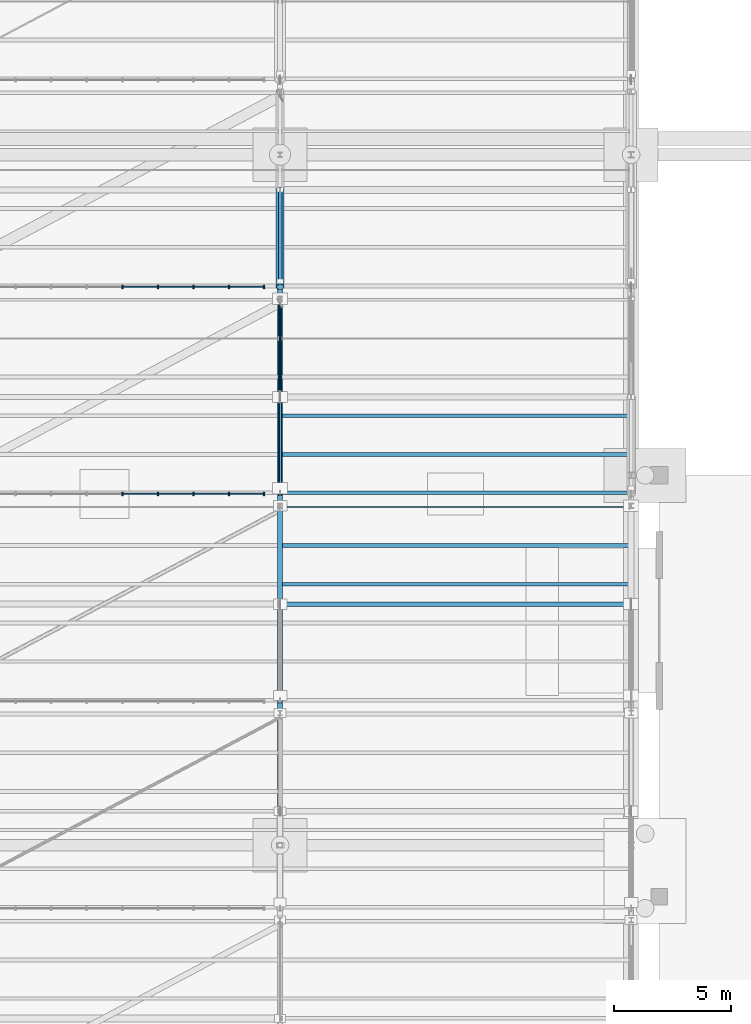
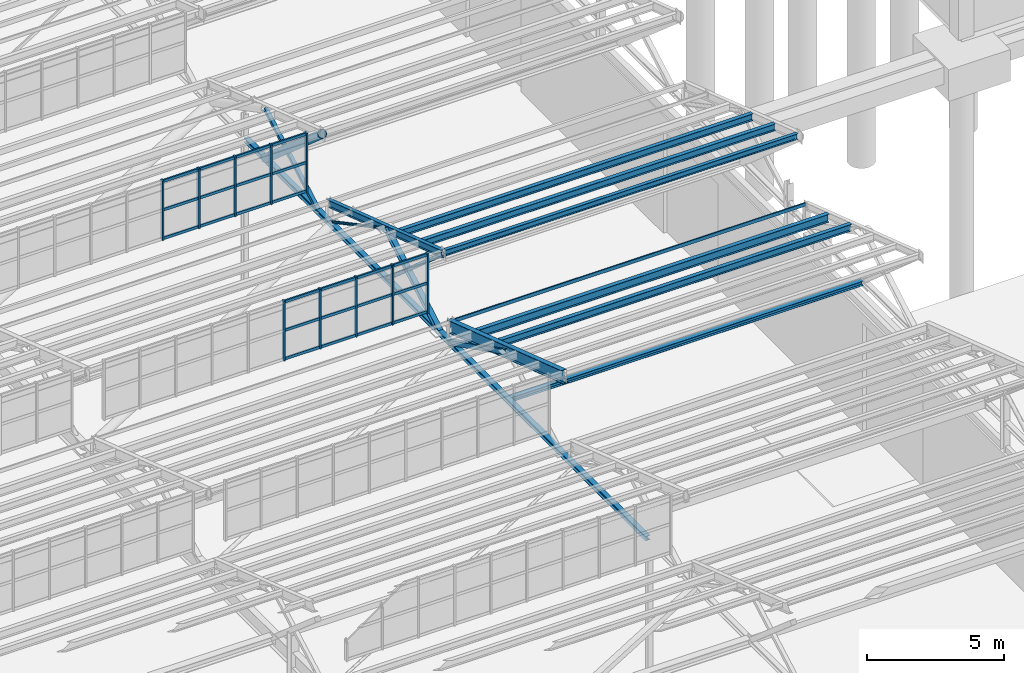
# One storey, part 123 of 285: 41 members, 9 beams, 2 elements without a shape of their own.
"""IFC4 building model written with IfcOpenShell, lengths in metres."""

from ifc_helpers import new_model, si_unit, direction, frame, origin, origin_2d, place, context, subcontext, project, spatial, rectangle, hollow_rectangle, hollow_circle, i_section, extrude, material, material_profile, profile_set, type_object, element, aggregate, save


model = new_model("IFC4")

# Units and contexts
model_context = context("Model", 3, precision=1e-05, world=origin(), true_north=direction((0.0, 1.0)))
body_context = subcontext(model_context, "Body", "Model", "MODEL_VIEW")
ifc_project = project(units=[si_unit("LENGTHUNIT", "METRE"), si_unit("AREAUNIT", "SQUARE_METRE"), si_unit("VOLUMEUNIT", "CUBIC_METRE"), si_unit("PLANEANGLEUNIT", "RADIAN"), si_unit("MASSUNIT", "GRAM", prefix="KILO")], contexts=[model_context])

# Site, building, storey
site_placement = place(None, origin())
site = spatial("IfcSite", under=ifc_project, at=site_placement, CompositionType="ELEMENT")
building_placement = place(site_placement, origin())
building = spatial("IfcBuilding", under=site, at=building_placement, Name="Solanera Park Tramway Depot", CompositionType="ELEMENT")
storey_placement = place(building_placement, origin())
storey = spatial("IfcBuildingStorey", under=building, at=storey_placement, Name="L00", CompositionType="ELEMENT", Elevation=0.0)

# Curtain wall, members
ifc_material_1 = material(Name="Bronze-anodised thermally broken aluminium curtain wall", Category="aluminium")
curtain_wall_type = type_object("IfcCurtainWallType", Name="Sawtooth Clerestory Monitor Curtain Wall", PredefinedType="NOTDEFINED", material=ifc_material_1)
curtain_wall_1_placement = place(storey_placement, origin())
curtain_wall_1 = element("IfcCurtainWall", 1, at=curtain_wall_1_placement, inside=storey, type_object=curtain_wall_type, Name="L00 Sawtooth Clerestory Monitor Curtain Wall #043", PredefinedType="NOTDEFINED")
ifc_material_2 = material(Name="Bronze-anodised structural aluminium 6063-T6", Category="aluminium")
ifc_material_profile_1 = material_profile(ifc_material_2, rectangle(XDim=0.06494140625, YDim=0.14990234375, at=origin_2d()), Name="Curtain Wall Mullion 65x150")
ifc_profile_set_1 = profile_set([ifc_material_profile_1], Name="Bronze-anodised structural aluminium 6063-T6")
member_type_1 = type_object("IfcMemberType", Name="Curtain Wall Mullion 65x150", PredefinedType="MULLION", material=ifc_profile_set_1)
member_1_placement = place(storey_placement, frame((128.260986328125, 100.0, 7.75), z_axis=(0.0, 0.0, 1.0), x_axis=(1.0, 0.0, 0.0)))
member_1 = element("IfcMember", 2, at=member_1_placement, type_object=member_type_1, Name="CW-L00-043 Mullion 6", PredefinedType="MULLION", context=body_context, shape_type="SweptSolid", body=[
    extrude(rectangle(XDim=0.06494140625, YDim=0.14990234375, at=origin_2d()), origin(), (0.0, 0.0, 1.0), 2.6611328125),
])
member_2_placement = place(storey_placement, frame((129.783203125, 100.0, 7.75), z_axis=(0.0, 0.0, 1.0), x_axis=(1.0, 0.0, 0.0)))
member_2 = element("IfcMember", 3, at=member_2_placement, type_object=member_type_1, Name="CW-L00-043 Mullion 7", PredefinedType="MULLION", context=body_context, shape_type="SweptSolid", body=[
    extrude(rectangle(XDim=0.06494140625, YDim=0.14990234375, at=origin_2d()), origin(), (0.0, 0.0, 1.0), 2.6611328125),
])
member_3_placement = place(storey_placement, frame((131.3056640625, 100.0, 7.75), z_axis=(0.0, 0.0, 1.0), x_axis=(1.0, 0.0, 0.0)))
member_3 = element("IfcMember", 4, at=member_3_placement, type_object=member_type_1, Name="CW-L00-043 Mullion 8", PredefinedType="MULLION", context=body_context, shape_type="SweptSolid", body=[
    extrude(rectangle(XDim=0.06494140625, YDim=0.14990234375, at=origin_2d()), origin(), (0.0, 0.0, 1.0), 2.6611328125),
])
member_4_placement = place(storey_placement, frame((132.827880859375, 100.0, 7.75), z_axis=(0.0, 0.0, 1.0), x_axis=(1.0, 0.0, 0.0)))
member_4 = element("IfcMember", 5, at=member_4_placement, type_object=member_type_1, Name="CW-L00-043 Mullion 9", PredefinedType="MULLION", context=body_context, shape_type="SweptSolid", body=[
    extrude(rectangle(XDim=0.06494140625, YDim=0.14990234375, at=origin_2d()), origin(), (0.0, 0.0, 1.0), 2.6611328125),
])
member_5_placement = place(storey_placement, frame((134.3173828125, 100.0, 7.75), z_axis=(0.0, 0.0, 1.0), x_axis=(1.0, 0.0, 0.0)))
member_5 = element("IfcMember", 6, at=member_5_placement, type_object=member_type_1, Name="CW-L00-043 Mullion 10", PredefinedType="MULLION", context=body_context, shape_type="SweptSolid", body=[
    extrude(rectangle(XDim=0.06494140625, YDim=0.14990234375, at=origin_2d()), origin(), (0.0, 0.0, 1.0), 2.6611328125),
])

curtain_wall_2_placement = place(storey_placement, origin())
curtain_wall_2 = element("IfcCurtainWall", 7, at=curtain_wall_2_placement, inside=storey, type_object=curtain_wall_type, Name="L00 Sawtooth Clerestory Monitor Curtain Wall #051", PredefinedType="NOTDEFINED")
member_6_placement = place(storey_placement, frame((128.260986328125, 108.85009765625, 7.75), z_axis=(0.0, 0.0, 1.0), x_axis=(1.0, 0.0, 0.0)))
member_6 = element("IfcMember", 8, at=member_6_placement, type_object=member_type_1, Name="CW-L00-051 Mullion 6", PredefinedType="MULLION", context=body_context, shape_type="SweptSolid", body=[
    extrude(rectangle(XDim=0.06494140625, YDim=0.14990234375, at=origin_2d()), origin(), (0.0, 0.0, 1.0), 2.6611328125),
])
member_7_placement = place(storey_placement, frame((129.783203125, 108.85009765625, 7.75), z_axis=(0.0, 0.0, 1.0), x_axis=(1.0, 0.0, 0.0)))
member_7 = element("IfcMember", 9, at=member_7_placement, type_object=member_type_1, Name="CW-L00-051 Mullion 7", PredefinedType="MULLION", context=body_context, shape_type="SweptSolid", body=[
    extrude(rectangle(XDim=0.06494140625, YDim=0.14990234375, at=origin_2d()), origin(), (0.0, 0.0, 1.0), 2.6611328125),
])
member_8_placement = place(storey_placement, frame((131.3056640625, 108.85009765625, 7.75), z_axis=(0.0, 0.0, 1.0), x_axis=(1.0, 0.0, 0.0)))
member_8 = element("IfcMember", 10, at=member_8_placement, type_object=member_type_1, Name="CW-L00-051 Mullion 8", PredefinedType="MULLION", context=body_context, shape_type="SweptSolid", body=[
    extrude(rectangle(XDim=0.06494140625, YDim=0.14990234375, at=origin_2d()), origin(), (0.0, 0.0, 1.0), 2.6611328125),
])
member_9_placement = place(storey_placement, frame((132.827880859375, 108.85009765625, 7.75), z_axis=(0.0, 0.0, 1.0), x_axis=(1.0, 0.0, 0.0)))
member_9 = element("IfcMember", 11, at=member_9_placement, type_object=member_type_1, Name="CW-L00-051 Mullion 9", PredefinedType="MULLION", context=body_context, shape_type="SweptSolid", body=[
    extrude(rectangle(XDim=0.06494140625, YDim=0.14990234375, at=origin_2d()), origin(), (0.0, 0.0, 1.0), 2.6611328125),
])
member_10_placement = place(storey_placement, frame((134.3173828125, 108.85009765625, 7.75), z_axis=(0.0, 0.0, 1.0), x_axis=(1.0, 0.0, 0.0)))
member_10 = element("IfcMember", 12, at=member_10_placement, type_object=member_type_1, Name="CW-L00-051 Mullion 10", PredefinedType="MULLION", context=body_context, shape_type="SweptSolid", body=[
    extrude(rectangle(XDim=0.06494140625, YDim=0.14990234375, at=origin_2d()), origin(), (0.0, 0.0, 1.0), 2.6611328125),
])

# Member
ifc_material_3 = material(Name="Bronze-anodised structural aluminium 6063-T6", Category="aluminium")
ifc_material_profile_2 = material_profile(ifc_material_3, rectangle(XDim=0.06494140625, YDim=0.1201171875, at=origin_2d()), Name="Curtain Wall Transom 65x120")
ifc_profile_set_2 = profile_set([ifc_material_profile_2], Name="Bronze-anodised structural aluminium 6063-T6")
member_type_2 = type_object("IfcMemberType", Name="Curtain Wall Transom 65x120", PredefinedType="USERDEFINED", material=ifc_profile_set_2)
member_11_placement = place(storey_placement, frame((128.2890625, 100.0, 7.81005859375), z_axis=(1.0, 0.0, 0.0), x_axis=(0.0, 1.0, 0.0)))
member_11 = element("IfcMember", 13, at=member_11_placement, type_object=member_type_2, Name="CW-L00-043 Transom R1.C6", ObjectType="TRANSOM", PredefinedType="USERDEFINED", context=body_context, shape_type="SweptSolid", body=[
    extrude(rectangle(XDim=0.06494140625, YDim=0.1201171875, at=origin_2d()), origin(), (0.0, 0.0, 1.0), 1.46630859375),
])

member_12_placement = place(storey_placement, frame((129.811279296875, 100.0, 7.81005859375), z_axis=(1.0, 0.0, 0.0), x_axis=(0.0, 1.0, 0.0)))
member_12 = element("IfcMember", 14, at=member_12_placement, type_object=member_type_2, Name="CW-L00-043 Transom R1.C7", ObjectType="TRANSOM", PredefinedType="USERDEFINED", context=body_context, shape_type="SweptSolid", body=[
    extrude(rectangle(XDim=0.06494140625, YDim=0.1201171875, at=origin_2d()), origin(), (0.0, 0.0, 1.0), 1.46630859375),
])

member_13_placement = place(storey_placement, frame((131.33349609375, 100.0, 7.81005859375), z_axis=(1.0, 0.0, 0.0), x_axis=(0.0, 1.0, 0.0)))
member_13 = element("IfcMember", 15, at=member_13_placement, type_object=member_type_2, Name="CW-L00-043 Transom R1.C8", ObjectType="TRANSOM", PredefinedType="USERDEFINED", context=body_context, shape_type="SweptSolid", body=[
    extrude(rectangle(XDim=0.06494140625, YDim=0.1201171875, at=origin_2d()), origin(), (0.0, 0.0, 1.0), 1.46630859375),
])

member_14_placement = place(storey_placement, frame((132.855712890625, 100.0, 7.81005859375), z_axis=(1.0, 0.0, 0.0), x_axis=(0.0, 1.0, 0.0)))
member_14 = element("IfcMember", 16, at=member_14_placement, type_object=member_type_2, Name="CW-L00-043 Transom R1.C9", ObjectType="TRANSOM", PredefinedType="USERDEFINED", context=body_context, shape_type="SweptSolid", body=[
    extrude(rectangle(XDim=0.06494140625, YDim=0.1201171875, at=origin_2d()), origin(), (0.0, 0.0, 1.0), 1.433837890625),
])

member_15_placement = place(storey_placement, frame((128.2890625, 100.0, 9.08056640625), z_axis=(1.0, 0.0, 0.0), x_axis=(0.0, 1.0, 0.0)))
member_15 = element("IfcMember", 17, at=member_15_placement, type_object=member_type_2, Name="CW-L00-043 Transom R2.C6", ObjectType="TRANSOM", PredefinedType="USERDEFINED", context=body_context, shape_type="SweptSolid", body=[
    extrude(rectangle(XDim=0.06494140625, YDim=0.1201171875, at=origin_2d()), origin(), (0.0, 0.0, 1.0), 1.46630859375),
])

member_16_placement = place(storey_placement, frame((129.811279296875, 100.0, 9.08056640625), z_axis=(1.0, 0.0, 0.0), x_axis=(0.0, 1.0, 0.0)))
member_16 = element("IfcMember", 18, at=member_16_placement, type_object=member_type_2, Name="CW-L00-043 Transom R2.C7", ObjectType="TRANSOM", PredefinedType="USERDEFINED", context=body_context, shape_type="SweptSolid", body=[
    extrude(rectangle(XDim=0.06494140625, YDim=0.1201171875, at=origin_2d()), origin(), (0.0, 0.0, 1.0), 1.46630859375),
])

member_17_placement = place(storey_placement, frame((131.33349609375, 100.0, 9.08056640625), z_axis=(1.0, 0.0, 0.0), x_axis=(0.0, 1.0, 0.0)))
member_17 = element("IfcMember", 19, at=member_17_placement, type_object=member_type_2, Name="CW-L00-043 Transom R2.C8", ObjectType="TRANSOM", PredefinedType="USERDEFINED", context=body_context, shape_type="SweptSolid", body=[
    extrude(rectangle(XDim=0.06494140625, YDim=0.1201171875, at=origin_2d()), origin(), (0.0, 0.0, 1.0), 1.46630859375),
])

member_18_placement = place(storey_placement, frame((132.855712890625, 100.0, 9.08056640625), z_axis=(1.0, 0.0, 0.0), x_axis=(0.0, 1.0, 0.0)))
member_18 = element("IfcMember", 20, at=member_18_placement, type_object=member_type_2, Name="CW-L00-043 Transom R2.C9", ObjectType="TRANSOM", PredefinedType="USERDEFINED", context=body_context, shape_type="SweptSolid", body=[
    extrude(rectangle(XDim=0.06494140625, YDim=0.1201171875, at=origin_2d()), origin(), (0.0, 0.0, 1.0), 1.433837890625),
])

member_19_placement = place(storey_placement, frame((128.2890625, 100.0, 10.351318359375), z_axis=(1.0, 0.0, 0.0), x_axis=(0.0, 1.0, 0.0)))
member_19 = element("IfcMember", 21, at=member_19_placement, type_object=member_type_2, Name="CW-L00-043 Transom R3.C6", ObjectType="TRANSOM", PredefinedType="USERDEFINED", context=body_context, shape_type="SweptSolid", body=[
    extrude(rectangle(XDim=0.06494140625, YDim=0.1201171875, at=origin_2d()), origin(), (0.0, 0.0, 1.0), 1.46630859375),
])

member_20_placement = place(storey_placement, frame((129.811279296875, 100.0, 10.351318359375), z_axis=(1.0, 0.0, 0.0), x_axis=(0.0, 1.0, 0.0)))
member_20 = element("IfcMember", 22, at=member_20_placement, type_object=member_type_2, Name="CW-L00-043 Transom R3.C7", ObjectType="TRANSOM", PredefinedType="USERDEFINED", context=body_context, shape_type="SweptSolid", body=[
    extrude(rectangle(XDim=0.06494140625, YDim=0.1201171875, at=origin_2d()), origin(), (0.0, 0.0, 1.0), 1.46630859375),
])

member_21_placement = place(storey_placement, frame((131.33349609375, 100.0, 10.351318359375), z_axis=(1.0, 0.0, 0.0), x_axis=(0.0, 1.0, 0.0)))
member_21 = element("IfcMember", 23, at=member_21_placement, type_object=member_type_2, Name="CW-L00-043 Transom R3.C8", ObjectType="TRANSOM", PredefinedType="USERDEFINED", context=body_context, shape_type="SweptSolid", body=[
    extrude(rectangle(XDim=0.06494140625, YDim=0.1201171875, at=origin_2d()), origin(), (0.0, 0.0, 1.0), 1.46630859375),
])

member_22_placement = place(storey_placement, frame((132.855712890625, 100.0, 10.351318359375), z_axis=(1.0, 0.0, 0.0), x_axis=(0.0, 1.0, 0.0)))
member_22 = element("IfcMember", 24, at=member_22_placement, type_object=member_type_2, Name="CW-L00-043 Transom R3.C9", ObjectType="TRANSOM", PredefinedType="USERDEFINED", context=body_context, shape_type="SweptSolid", body=[
    extrude(rectangle(XDim=0.06494140625, YDim=0.1201171875, at=origin_2d()), origin(), (0.0, 0.0, 1.0), 1.433837890625),
])

aggregate(curtain_wall_1, [member_1, member_2, member_3, member_4, member_5, member_11, member_12, member_13, member_14, member_15, member_16, member_17, member_18, member_19, member_20, member_21, member_22])

member_23_placement = place(storey_placement, frame((128.2890625, 108.85009765625, 7.81005859375), z_axis=(1.0, 0.0, 0.0), x_axis=(0.0, 1.0, 0.0)))
member_23 = element("IfcMember", 25, at=member_23_placement, type_object=member_type_2, Name="CW-L00-051 Transom R1.C6", ObjectType="TRANSOM", PredefinedType="USERDEFINED", context=body_context, shape_type="SweptSolid", body=[
    extrude(rectangle(XDim=0.06494140625, YDim=0.1201171875, at=origin_2d()), origin(), (0.0, 0.0, 1.0), 1.46630859375),
])

member_24_placement = place(storey_placement, frame((129.811279296875, 108.85009765625, 7.81005859375), z_axis=(1.0, 0.0, 0.0), x_axis=(0.0, 1.0, 0.0)))
member_24 = element("IfcMember", 26, at=member_24_placement, type_object=member_type_2, Name="CW-L00-051 Transom R1.C7", ObjectType="TRANSOM", PredefinedType="USERDEFINED", context=body_context, shape_type="SweptSolid", body=[
    extrude(rectangle(XDim=0.06494140625, YDim=0.1201171875, at=origin_2d()), origin(), (0.0, 0.0, 1.0), 1.46630859375),
])

member_25_placement = place(storey_placement, frame((131.33349609375, 108.85009765625, 7.81005859375), z_axis=(1.0, 0.0, 0.0), x_axis=(0.0, 1.0, 0.0)))
member_25 = element("IfcMember", 27, at=member_25_placement, type_object=member_type_2, Name="CW-L00-051 Transom R1.C8", ObjectType="TRANSOM", PredefinedType="USERDEFINED", context=body_context, shape_type="SweptSolid", body=[
    extrude(rectangle(XDim=0.06494140625, YDim=0.1201171875, at=origin_2d()), origin(), (0.0, 0.0, 1.0), 1.46630859375),
])

member_26_placement = place(storey_placement, frame((132.855712890625, 108.85009765625, 7.81005859375), z_axis=(1.0, 0.0, 0.0), x_axis=(0.0, 1.0, 0.0)))
member_26 = element("IfcMember", 28, at=member_26_placement, type_object=member_type_2, Name="CW-L00-051 Transom R1.C9", ObjectType="TRANSOM", PredefinedType="USERDEFINED", context=body_context, shape_type="SweptSolid", body=[
    extrude(rectangle(XDim=0.06494140625, YDim=0.1201171875, at=origin_2d()), origin(), (0.0, 0.0, 1.0), 1.433837890625),
])

member_27_placement = place(storey_placement, frame((128.2890625, 108.85009765625, 9.08056640625), z_axis=(1.0, 0.0, 0.0), x_axis=(0.0, 1.0, 0.0)))
member_27 = element("IfcMember", 29, at=member_27_placement, type_object=member_type_2, Name="CW-L00-051 Transom R2.C6", ObjectType="TRANSOM", PredefinedType="USERDEFINED", context=body_context, shape_type="SweptSolid", body=[
    extrude(rectangle(XDim=0.06494140625, YDim=0.1201171875, at=origin_2d()), origin(), (0.0, 0.0, 1.0), 1.46630859375),
])

member_28_placement = place(storey_placement, frame((129.811279296875, 108.85009765625, 9.08056640625), z_axis=(1.0, 0.0, 0.0), x_axis=(0.0, 1.0, 0.0)))
member_28 = element("IfcMember", 30, at=member_28_placement, type_object=member_type_2, Name="CW-L00-051 Transom R2.C7", ObjectType="TRANSOM", PredefinedType="USERDEFINED", context=body_context, shape_type="SweptSolid", body=[
    extrude(rectangle(XDim=0.06494140625, YDim=0.1201171875, at=origin_2d()), origin(), (0.0, 0.0, 1.0), 1.46630859375),
])

member_29_placement = place(storey_placement, frame((131.33349609375, 108.85009765625, 9.08056640625), z_axis=(1.0, 0.0, 0.0), x_axis=(0.0, 1.0, 0.0)))
member_29 = element("IfcMember", 31, at=member_29_placement, type_object=member_type_2, Name="CW-L00-051 Transom R2.C8", ObjectType="TRANSOM", PredefinedType="USERDEFINED", context=body_context, shape_type="SweptSolid", body=[
    extrude(rectangle(XDim=0.06494140625, YDim=0.1201171875, at=origin_2d()), origin(), (0.0, 0.0, 1.0), 1.46630859375),
])

member_30_placement = place(storey_placement, frame((132.855712890625, 108.85009765625, 9.08056640625), z_axis=(1.0, 0.0, 0.0), x_axis=(0.0, 1.0, 0.0)))
member_30 = element("IfcMember", 32, at=member_30_placement, type_object=member_type_2, Name="CW-L00-051 Transom R2.C9", ObjectType="TRANSOM", PredefinedType="USERDEFINED", context=body_context, shape_type="SweptSolid", body=[
    extrude(rectangle(XDim=0.06494140625, YDim=0.1201171875, at=origin_2d()), origin(), (0.0, 0.0, 1.0), 1.433837890625),
])

member_31_placement = place(storey_placement, frame((128.2890625, 108.85009765625, 10.351318359375), z_axis=(1.0, 0.0, 0.0), x_axis=(0.0, 1.0, 0.0)))
member_31 = element("IfcMember", 33, at=member_31_placement, type_object=member_type_2, Name="CW-L00-051 Transom R3.C6", ObjectType="TRANSOM", PredefinedType="USERDEFINED", context=body_context, shape_type="SweptSolid", body=[
    extrude(rectangle(XDim=0.06494140625, YDim=0.1201171875, at=origin_2d()), origin(), (0.0, 0.0, 1.0), 1.46630859375),
])

member_32_placement = place(storey_placement, frame((129.811279296875, 108.85009765625, 10.351318359375), z_axis=(1.0, 0.0, 0.0), x_axis=(0.0, 1.0, 0.0)))
member_32 = element("IfcMember", 34, at=member_32_placement, type_object=member_type_2, Name="CW-L00-051 Transom R3.C7", ObjectType="TRANSOM", PredefinedType="USERDEFINED", context=body_context, shape_type="SweptSolid", body=[
    extrude(rectangle(XDim=0.06494140625, YDim=0.1201171875, at=origin_2d()), origin(), (0.0, 0.0, 1.0), 1.46630859375),
])

member_33_placement = place(storey_placement, frame((131.33349609375, 108.85009765625, 10.351318359375), z_axis=(1.0, 0.0, 0.0), x_axis=(0.0, 1.0, 0.0)))
member_33 = element("IfcMember", 35, at=member_33_placement, type_object=member_type_2, Name="CW-L00-051 Transom R3.C8", ObjectType="TRANSOM", PredefinedType="USERDEFINED", context=body_context, shape_type="SweptSolid", body=[
    extrude(rectangle(XDim=0.06494140625, YDim=0.1201171875, at=origin_2d()), origin(), (0.0, 0.0, 1.0), 1.46630859375),
])

member_34_placement = place(storey_placement, frame((132.855712890625, 108.85009765625, 10.351318359375), z_axis=(1.0, 0.0, 0.0), x_axis=(0.0, 1.0, 0.0)))
member_34 = element("IfcMember", 36, at=member_34_placement, type_object=member_type_2, Name="CW-L00-051 Transom R3.C9", ObjectType="TRANSOM", PredefinedType="USERDEFINED", context=body_context, shape_type="SweptSolid", body=[
    extrude(rectangle(XDim=0.06494140625, YDim=0.1201171875, at=origin_2d()), origin(), (0.0, 0.0, 1.0), 1.433837890625),
])

aggregate(curtain_wall_2, [member_6, member_7, member_8, member_9, member_10, member_23, member_24, member_25, member_26, member_27, member_28, member_29, member_30, member_31, member_32, member_33, member_34])

# Members
ifc_material_4 = material(Name="Steel AS/NZS 1163 Grade C350L0", Category="steel")
ifc_material_profile_3 = material_profile(ifc_material_4, hollow_rectangle(XDim=0.14990234375, YDim=0.14990234375, WallThickness=0.006103515625, at=origin_2d()), Name="150x150x6.0 SHS")
ifc_profile_set_3 = profile_set([ifc_material_profile_3], Name="Steel AS/NZS 1163 Grade C350L0")
member_type_3 = type_object("IfcMemberType", Name="Roof Gantry Compression Strut 150x150x6.0 SHS", PredefinedType="STRUT", material=ifc_profile_set_3)
member_35_placement = place(storey_placement, frame((135.0, 109.10009765625, 6.5), z_axis=(0.0, 0.869202540842, 0.49445620938), x_axis=(-1.0, 0.0, 0.0)))
element("IfcMember", 37, at=member_35_placement, inside=storey, type_object=member_type_3, Name="Sawtooth ROOF TRUSS Strut 150x150x6.0 SHS #0302", PredefinedType="STRUT", context=body_context, shape_type="SweptSolid", body=[
    extrude(hollow_rectangle(XDim=0.14990234375, YDim=0.14990234375, WallThickness=0.006103515625, at=origin_2d()), origin(), (0.0, 0.0, 1.0), 4.48681640625),
])
ifc_material_5 = material(Name="Steel AS/NZS 3679.1 Grade 350", Category="steel")
ifc_material_profile_4 = material_profile(ifc_material_5, i_section(OverallWidth=0.205078125, OverallDepth=0.209716796875, WebThickness=0.00927734375, FlangeThickness=0.01416015625, at=origin_2d()), Name="200UC59.5")
ifc_profile_set_4 = profile_set([ifc_material_profile_4], Name="Steel AS/NZS 3679.1 Grade 350")
member_type_4 = type_object("IfcMemberType", Name="Roof Gantry Compression Strut 200UC59.5", PredefinedType="STRUT", material=ifc_profile_set_4)
member_36_placement = place(storey_placement, frame((135.0, 100.25, 6.5), z_axis=(0.0, 0.866884023838, 0.498509868723), x_axis=(-1.0, 0.0, 0.0)))
element("IfcMember", 38, at=member_36_placement, inside=storey, type_object=member_type_4, Name="Sawtooth ROOF TRUSS Strut 200UC59.5 #0255", PredefinedType="STRUT", context=body_context, shape_type="SweptSolid", body=[
    extrude(i_section(OverallWidth=0.205078125, OverallDepth=0.209716796875, WebThickness=0.00927734375, FlangeThickness=0.01416015625, at=origin_2d()), origin(), (0.0, 0.0, 1.0), 4.498779296875),
])
ifc_material_6 = material(Name="Steel AS/NZS 3679.1 Grade 350", Category="steel")
ifc_material_profile_5 = material_profile(ifc_material_6, i_section(OverallWidth=0.203369140625, OverallDepth=0.203369140625, WebThickness=0.00732421875, FlangeThickness=0.010986328125, at=origin_2d()), Name="200UC46.2")
ifc_profile_set_5 = profile_set([ifc_material_profile_5], Name="Steel AS/NZS 3679.1 Grade 350")
member_type_5 = type_object("IfcMemberType", Name="Secondary Truss Chord 200UC46.2", PredefinedType="CHORD", material=ifc_profile_set_5)
member_37_placement = place(storey_placement, frame((135.087890625, 95.300048828125, 6.5), z_axis=(1.0, 0.0, 0.0), x_axis=(0.0, 1.0, 0.0)))
element("IfcMember", 39, at=member_37_placement, inside=storey, type_object=member_type_5, Name="Sawtooth Longitudinal Tie Chord 200UC46.2 #0225", PredefinedType="CHORD", context=body_context, shape_type="SweptSolid", body=[
    extrude(i_section(OverallWidth=0.203369140625, OverallDepth=0.203369140625, WebThickness=0.00732421875, FlangeThickness=0.010986328125, at=origin_2d()), origin(), (0.0, 0.0, 1.0), 14.82421875),
])

# Beams
ifc_material_7 = material(Name="Steel AS/NZS 3679.1 Grade 350", Category="steel")
ifc_material_profile_6 = material_profile(ifc_material_7, i_section(OverallWidth=0.203369140625, OverallDepth=0.203369140625, WebThickness=0.00732421875, FlangeThickness=0.010986328125, at=origin_2d()), Name="200UC46.2")
ifc_profile_set_6 = profile_set([ifc_material_profile_6], Name="Steel AS/NZS 3679.1 Grade 350")
beam_type_1 = type_object("IfcBeamType", Name="Steel Beam 200UC46.2", PredefinedType="BEAM", material=ifc_profile_set_6)
beam_1_placement = place(storey_placement, frame((135.0, 85.10009765625, 6.5), z_axis=(0.0, 1.0, 0.0), x_axis=(-1.0, 0.0, 0.0)))
element("IfcBeam", 40, at=beam_1_placement, inside=storey, type_object=beam_type_1, Name="Sawtooth ROOF TRUSS Bottom Chord 200UC46.2 #0395", PredefinedType="BEAM", context=body_context, shape_type="SweptSolid", body=[
    extrude(i_section(OverallWidth=0.203369140625, OverallDepth=0.203369140625, WebThickness=0.00732421875, FlangeThickness=0.010986328125, at=origin_2d()), origin(), (0.0, 0.0, 1.0), 29.298095703125),
])
ifc_material_8 = material(Name="Steel AS/NZS 3679.1 Grade 350", Category="steel")
ifc_material_profile_7 = material_profile(ifc_material_8, i_section(OverallWidth=0.166015625, OverallDepth=0.30712890625, WebThickness=0.006591796875, FlangeThickness=0.01171875, at=origin_2d()), Name="310UB46.2")
ifc_profile_set_7 = profile_set([ifc_material_profile_7], Name="Steel AS/NZS 3679.1 Grade 350")
beam_type_2 = type_object("IfcBeamType", Name="Steel Beam 310UB46.2", PredefinedType="BEAM", material=ifc_profile_set_7)
beam_2_placement = place(storey_placement, frame((135.0, 100.0, 10.131103515625), z_axis=(0.0, 0.948330572612, -0.317283981709), x_axis=(-1.0, 0.0, 0.0)))
element("IfcBeam", 41, at=beam_2_placement, inside=storey, type_object=beam_type_2, Name="Sawtooth ROOF TRUSS Top Rafter 310UB46.2 B06-T10", PredefinedType="BEAM", context=body_context, shape_type="SweptSolid", body=[
    extrude(i_section(OverallWidth=0.166015625, OverallDepth=0.30712890625, WebThickness=0.006591796875, FlangeThickness=0.01171875, at=origin_2d()), origin(), (0.0, 0.0, 1.0), 8.804931640625),
])
ifc_material_9 = material(Name="Steel AS/NZS 3679.1 Grade 350", Category="steel")
ifc_material_profile_8 = material_profile(ifc_material_9, i_section(OverallWidth=0.209228515625, OverallDepth=0.532958984375, WebThickness=0.01025390625, FlangeThickness=0.015625, at=origin_2d()), Name="530UB92.4")
ifc_profile_set_8 = profile_set([ifc_material_profile_8], Name="Steel AS/NZS 3679.1 Grade 350")
beam_type_3 = type_object("IfcBeamType", Name="Steel Beam 530UB92.4", PredefinedType="BEAM", material=ifc_profile_set_8)
beam_3_placement = place(storey_placement, frame((135.0, 91.14990234375, 10.018310546875), z_axis=(0.0, 0.948322229475, -0.317308917435), x_axis=(-1.0, 0.0, 0.0)))
element("IfcBeam", 42, at=beam_3_placement, inside=storey, type_object=beam_type_3, Name="Sawtooth ROOF TRUSS Top Rafter 530UB92.4 B05-T10", PredefinedType="BEAM", context=body_context, shape_type="SweptSolid", body=[
    extrude(i_section(OverallWidth=0.209228515625, OverallDepth=0.532958984375, WebThickness=0.01025390625, FlangeThickness=0.015625, at=origin_2d()), origin(), (0.0, 0.0, 1.0), 8.80517578125),
])
ifc_material_10 = material(Name="Steel AS/NZS 1163 Grade C350L0", Category="steel")
ifc_material_profile_9 = material_profile(ifc_material_10, hollow_rectangle(XDim=0.050048828125, YDim=0.14990234375, WallThickness=0.0048828125, at=origin_2d()), Name="150x50x5.0 RHS")
ifc_profile_set_9 = profile_set([ifc_material_profile_9], Name="Steel AS/NZS 1163 Grade C350L0")
beam_type_4 = type_object("IfcBeamType", Name="Steel Joist Purlin 150x50x5.0 RHS", PredefinedType="JOIST", material=ifc_profile_set_9)
beam_4_placement = place(storey_placement, frame((135.0966796875, 99.449951171875, 7.4462890625), z_axis=(1.0, 0.0, 0.0), x_axis=(0.0, 1.0, 0.0)))
element("IfcBeam", 43, at=beam_4_placement, inside=storey, type_object=beam_type_4, Name="Sawtooth Roof Purlin 150x50x5.0 RHS B05.6", PredefinedType="JOIST", context=body_context, shape_type="SweptSolid", body=[
    extrude(hollow_rectangle(XDim=0.050048828125, YDim=0.14990234375, WallThickness=0.0048828125, at=origin_2d()), origin(), (0.0, 0.0, 1.0), 14.828369140625),
])
ifc_material_11 = material(Name="Steel AS/NZS 3679.1 Grade 350", Category="steel")
ifc_material_profile_10 = material_profile(ifc_material_11, i_section(OverallWidth=0.146484375, OverallDepth=0.256103515625, WebThickness=0.00634765625, FlangeThickness=0.010986328125, at=origin_2d()), Name="250UB37.3")
ifc_profile_set_10 = profile_set([ifc_material_profile_10], Name="Steel AS/NZS 3679.1 Grade 350")
beam_type_5 = type_object("IfcBeamType", Name="Steel Joist Purlin 250UB37.3", PredefinedType="JOIST", material=ifc_profile_set_10)
beam_5_placement = place(storey_placement, frame((135.074951171875, 100.050048828125, 10.137451171875), z_axis=(1.0, 0.0, 0.0), x_axis=(0.0, 1.0, 0.0)))
element("IfcBeam", 44, at=beam_5_placement, inside=storey, type_object=beam_type_5, Name="Sawtooth Roof Purlin 250UB37.3 B06.1", PredefinedType="JOIST", context=body_context, shape_type="SweptSolid", body=[
    extrude(i_section(OverallWidth=0.146484375, OverallDepth=0.256103515625, WebThickness=0.00634765625, FlangeThickness=0.010986328125, at=origin_2d()), origin(), (0.0, 0.0, 1.0), 14.84716796875),
])
ifc_material_12 = material(Name="Steel AS/NZS 3679.1 Grade 350", Category="steel")
ifc_material_profile_11 = material_profile(ifc_material_12, i_section(OverallWidth=0.1650390625, OverallDepth=0.3037109375, WebThickness=0.006103515625, FlangeThickness=0.01025390625, at=origin_2d()), Name="310UB40.4")
ifc_profile_set_11 = profile_set([ifc_material_profile_11], Name="Steel AS/NZS 3679.1 Grade 350")
beam_type_6 = type_object("IfcBeamType", Name="Steel Joist Purlin 310UB40.4", PredefinedType="JOIST", material=ifc_profile_set_11)
beam_6_placement = place(storey_placement, frame((135.074951171875, 101.699951171875, 9.55859375), z_axis=(1.0, 0.0, 0.0), x_axis=(0.0, 1.0, 0.0)))
element("IfcBeam", 45, at=beam_6_placement, inside=storey, type_object=beam_type_6, Name="Sawtooth Roof Purlin 310UB40.4 B06.2", PredefinedType="JOIST", context=body_context, shape_type="SweptSolid", body=[
    extrude(i_section(OverallWidth=0.1650390625, OverallDepth=0.3037109375, WebThickness=0.006103515625, FlangeThickness=0.01025390625, at=origin_2d()), origin(), (0.0, 0.0, 1.0), 14.84716796875),
])
ifc_material_13 = material(Name="Steel AS/NZS 3679.1 Grade 350", Category="steel")
ifc_material_profile_12 = material_profile(ifc_material_13, i_section(OverallWidth=0.166015625, OverallDepth=0.30712890625, WebThickness=0.006591796875, FlangeThickness=0.01171875, at=origin_2d()), Name="310UB46.2")
ifc_profile_set_12 = profile_set([ifc_material_profile_12], Name="Steel AS/NZS 3679.1 Grade 350")
beam_type_7 = type_object("IfcBeamType", Name="Steel Joist Purlin 310UB46.2", PredefinedType="JOIST", material=ifc_profile_set_12)
beam_7_placement = place(storey_placement, frame((135.0966796875, 96.14990234375, 8.452392578125), z_axis=(1.0, 0.0, 0.0), x_axis=(0.0, 1.0, 0.0)))
element("IfcBeam", 46, at=beam_7_placement, inside=storey, type_object=beam_type_7, Name="Sawtooth Roof Purlin 310UB46.2 B05.4", PredefinedType="JOIST", context=body_context, shape_type="SweptSolid", body=[
    extrude(i_section(OverallWidth=0.166015625, OverallDepth=0.30712890625, WebThickness=0.006591796875, FlangeThickness=0.01171875, at=origin_2d()), origin(), (0.0, 0.0, 1.0), 14.828369140625),
])
beam_8_placement = place(storey_placement, frame((135.074951171875, 103.35009765625, 9.004638671875), z_axis=(1.0, 0.0, 0.0), x_axis=(0.0, 1.0, 0.0)))
element("IfcBeam", 47, at=beam_8_placement, inside=storey, type_object=beam_type_7, Name="Sawtooth Roof Purlin 310UB46.2 B06.3", PredefinedType="JOIST", context=body_context, shape_type="SweptSolid", body=[
    extrude(i_section(OverallWidth=0.166015625, OverallDepth=0.30712890625, WebThickness=0.006591796875, FlangeThickness=0.01171875, at=origin_2d()), origin(), (0.0, 0.0, 1.0), 14.84716796875),
])
ifc_material_14 = material(Name="Steel AS/NZS 3679.1 Grade 350", Category="steel")
ifc_material_profile_13 = material_profile(ifc_material_14, i_section(OverallWidth=0.17138671875, OverallDepth=0.355712890625, WebThickness=0.00732421875, FlangeThickness=0.011474609375, at=origin_2d()), Name="360UB50.7")
ifc_profile_set_13 = profile_set([ifc_material_profile_13], Name="Steel AS/NZS 3679.1 Grade 350")
beam_type_8 = type_object("IfcBeamType", Name="Steel Joist Purlin 360UB50.7", PredefinedType="JOIST", material=ifc_profile_set_13)
beam_9_placement = place(storey_placement, frame((135.0966796875, 97.800048828125, 7.875244140625), z_axis=(1.0, 0.0, 0.0), x_axis=(0.0, 1.0, 0.0)))
element("IfcBeam", 48, at=beam_9_placement, inside=storey, type_object=beam_type_8, Name="Sawtooth Roof Purlin 360UB50.7 B05.5", PredefinedType="JOIST", context=body_context, shape_type="SweptSolid", body=[
    extrude(i_section(OverallWidth=0.17138671875, OverallDepth=0.355712890625, WebThickness=0.00732421875, FlangeThickness=0.011474609375, at=origin_2d()), origin(), (0.0, 0.0, 1.0), 14.828369140625),
])

# Members
ifc_material_15 = material(Name="Steel AS/NZS 1163 Grade C350L0", Category="steel")
ifc_material_profile_14 = material_profile(ifc_material_15, hollow_circle(Radius=0.05712890625, WallThickness=0.0048828125, at=origin_2d()), Name="114.3x4.8 CHS")
ifc_profile_set_14 = profile_set([ifc_material_profile_14], Name="Steel AS/NZS 1163 Grade C350L0")
member_type_6 = type_object("IfcMemberType", Name="Truss and Frame Brace 114.3x4.8 CHS", PredefinedType="BRACE", material=ifc_profile_set_14)
member_38_placement = place(storey_placement, frame((135.0, 108.35009765625, 6.5), z_axis=(0.0, -0.88212858105, 0.471008669235), x_axis=(1.0, 0.0, 0.0)))
element("IfcMember", 49, at=member_38_placement, inside=storey, type_object=member_type_6, Name="Sawtooth ROOF TRUSS Diagonal 114.3x4.8 CHS #0254", PredefinedType="BRACE", context=body_context, shape_type="SweptSolid", body=[
    extrude(hollow_circle(Radius=0.05712890625, WallThickness=0.0048828125, at=origin_2d()), origin(), (0.0, 0.0, 1.0), 4.761474609375),
])
ifc_material_16 = material(Name="Steel AS/NZS 1163 Grade C350L0", Category="steel")
ifc_material_profile_15 = material_profile(ifc_material_16, hollow_circle(Radius=0.084228515625, WallThickness=0.00634765625, at=origin_2d()), Name="168.3x6.4 CHS")
ifc_profile_set_15 = profile_set([ifc_material_profile_15], Name="Steel AS/NZS 1163 Grade C350L0")
member_type_7 = type_object("IfcMemberType", Name="Truss and Frame Brace 168.3x6.4 CHS", PredefinedType="BRACE", material=ifc_profile_set_15)
member_39_placement = place(storey_placement, frame((135.0, 104.14990234375, 6.5), z_axis=(0.0, -0.752582180048, 0.658498338855), x_axis=(1.0, 0.0, 0.0)))
element("IfcMember", 50, at=member_39_placement, inside=storey, type_object=member_type_7, Name="Sawtooth ROOF TRUSS Web Brace 168.3x6.4 CHS #0253", PredefinedType="BRACE", context=body_context, shape_type="SweptSolid", body=[
    extrude(hollow_circle(Radius=0.084228515625, WallThickness=0.00634765625, at=origin_2d()), origin(), (0.0, 0.0, 1.0), 5.51416015625),
])
ifc_material_17 = material(Name="Steel AS/NZS 1163 Grade C350L0", Category="steel")
ifc_material_profile_16 = material_profile(ifc_material_17, hollow_rectangle(XDim=0.199951171875, YDim=0.199951171875, WallThickness=0.008056640625, at=origin_2d()), Name="200x200x8.0 SHS")
ifc_profile_set_16 = profile_set([ifc_material_profile_16], Name="Steel AS/NZS 1163 Grade C350L0")
member_type_8 = type_object("IfcMemberType", Name="Truss and Frame Brace 200x200x8.0 SHS", PredefinedType="BRACE", material=ifc_profile_set_16)
member_40_placement = place(storey_placement, frame((135.0, 99.5, 6.5), z_axis=(0.0, -0.891893316909, 0.452245852665), x_axis=(1.0, 0.0, 0.0)))
element("IfcMember", 51, at=member_40_placement, inside=storey, type_object=member_type_8, Name="Sawtooth ROOF TRUSS Diagonal 200x200x8.0 SHS #0207", PredefinedType="BRACE", context=body_context, shape_type="SweptSolid", body=[
    extrude(hollow_rectangle(XDim=0.199951171875, YDim=0.199951171875, WallThickness=0.008056640625, at=origin_2d()), origin(), (0.0, 0.0, 1.0), 4.708984375),
])
ifc_material_18 = material(Name="Steel AS/NZS 1163 Grade C350L0", Category="steel")
ifc_material_profile_17 = material_profile(ifc_material_18, hollow_circle(Radius=0.177734375, WallThickness=0.0126953125, at=origin_2d()), Name="355.6x12.7 CHS")
ifc_profile_set_17 = profile_set([ifc_material_profile_17], Name="Steel AS/NZS 1163 Grade C350L0")
member_type_9 = type_object("IfcMemberType", Name="Truss and Frame Brace 355.6x12.7 CHS", PredefinedType="BRACE", material=ifc_profile_set_17)
member_41_placement = place(storey_placement, frame((135.0, 113.0, 6.5), z_axis=(0.0, -0.754756538157, 0.656005006162), x_axis=(1.0, 0.0, 0.0)))
element("IfcMember", 52, at=member_41_placement, inside=storey, type_object=member_type_9, Name="Sawtooth ROOF TRUSS Web Brace 355.6x12.7 CHS #0300", PredefinedType="BRACE", context=body_context, shape_type="SweptSolid", body=[
    extrude(hollow_circle(Radius=0.177734375, WallThickness=0.0126953125, at=origin_2d()), origin(), (0.0, 0.0, 1.0), 5.498291015625),
])

save(model, "model.ifc")
